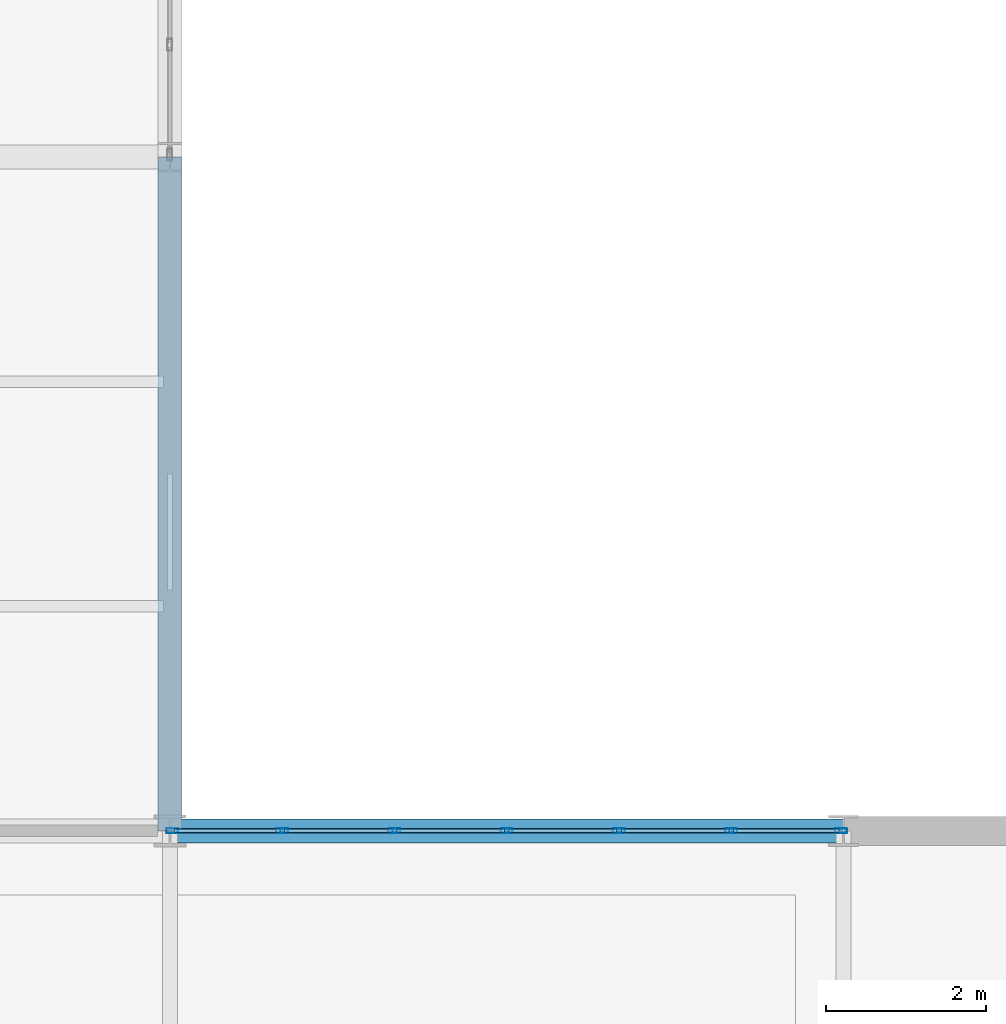
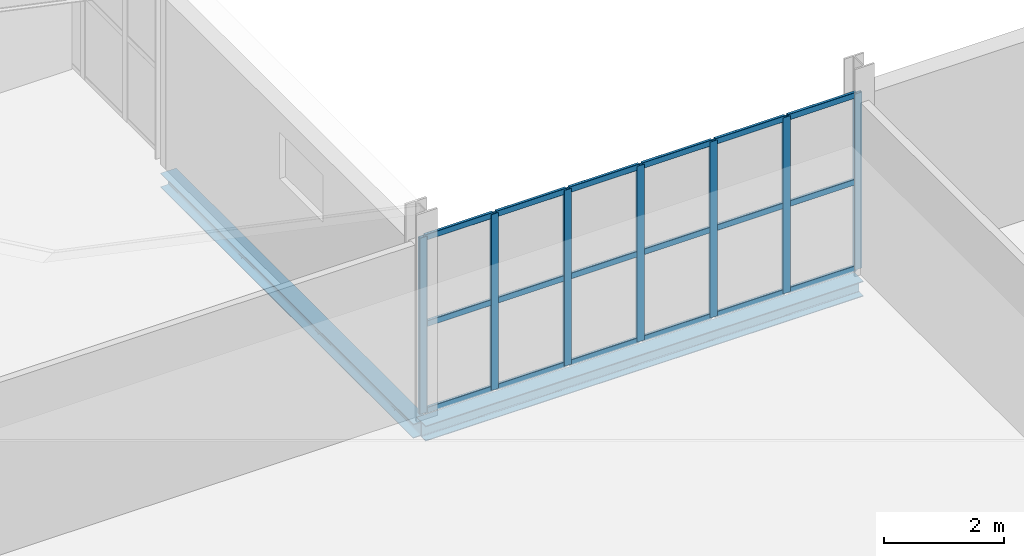
# One storey, part 53 of 184: 25 members, 2 beams, 1 element without a shape of its own.
"""IFC4 building model written with IfcOpenShell, lengths in metres."""

from ifc_helpers import new_model, si_unit, direction, frame, origin, origin_2d, place, context, subcontext, project, spatial, hollow_rectangle, i_section, extrude, material, layer, layer_set, material_profile, profile_set, type_object, element, aggregate, save


model = new_model("IFC4")

# Units and contexts
model_context = context("Model", 3, precision=1e-05, world=origin(), true_north=direction((0.0, 1.0)))
body_context = subcontext(model_context, "Body", "Model", "MODEL_VIEW")
ifc_project = project(units=[si_unit("LENGTHUNIT", "METRE"), si_unit("AREAUNIT", "SQUARE_METRE"), si_unit("VOLUMEUNIT", "CUBIC_METRE"), si_unit("PLANEANGLEUNIT", "RADIAN"), si_unit("MASSUNIT", "GRAM", prefix="KILO")], contexts=[model_context])

# Site, building, storey
site_placement = place(None, origin())
site = spatial("IfcSite", under=ifc_project, at=site_placement, CompositionType="ELEMENT")
building_placement = place(site_placement, origin())
building = spatial("IfcBuilding", under=site, at=building_placement, Name="Qalvenar Corner Mobility Hub", CompositionType="ELEMENT")
storey_placement = place(building_placement, frame((0.0, 0.0, 9.0)))
storey = spatial("IfcBuildingStorey", under=building, at=storey_placement, Name="L02", CompositionType="ELEMENT", Elevation=9.0)

# Beams
ifc_material_1 = material(Name="Steel S355", Category="steel")
ifc_material_profile_1 = material_profile(ifc_material_1, i_section(OverallWidth=0.300048828125, OverallDepth=0.2900390625, WebThickness=0.008544921875, FlangeThickness=0.013916015625, FilletRadius=0.027099609375, at=origin_2d()), Name="HEA300")
ifc_profile_set_1 = profile_set([ifc_material_profile_1], Name="Steel S355")
beam_type_1 = type_object("IfcBeamType", Name="BM-SPN300", PredefinedType="SPANDREL", material=ifc_profile_set_1)
beam_1_placement = place(storey_placement, frame((33.60009765625, 42.0, -0.324951171875), z_axis=(0.0, 1.0, 0.0), x_axis=(-1.0, 0.0, 0.0)))
element("IfcBeam", 1, at=beam_1_placement, inside=storey, type_object=beam_type_1, Name="Primary Steel Girder GY-1859", PredefinedType="SPANDREL", context=body_context, shape_type="SweptSolid", body=[
    extrude(i_section(OverallWidth=0.300048828125, OverallDepth=0.2900390625, WebThickness=0.008544921875, FlangeThickness=0.013916015625, FilletRadius=0.027099609375, at=origin_2d()), origin(), (0.0, 0.0, 1.0), 8.39990234375),
])
ifc_material_profile_2 = material_profile(ifc_material_1, i_section(OverallWidth=0.300048828125, OverallDepth=0.31005859375, WebThickness=0.009033203125, FlangeThickness=0.015380859375, FilletRadius=0.027099609375, at=origin_2d()), Name="HEA320")
ifc_profile_set_2 = profile_set([ifc_material_profile_2], Name="Steel S355")
beam_type_2 = type_object("IfcBeamType", Name="BM-SPN320", PredefinedType="SPANDREL", material=ifc_profile_set_2)
beam_2_placement = place(storey_placement, frame((33.60009765625, 42.0, -0.3349609375), z_axis=(1.0, 0.0, 0.0), x_axis=(0.0, 1.0, 0.0)))
element("IfcBeam", 2, at=beam_2_placement, inside=storey, type_object=beam_type_2, Name="Primary Steel Girder GX-1575", PredefinedType="SPANDREL", context=body_context, shape_type="SweptSolid", body=[
    extrude(i_section(OverallWidth=0.300048828125, OverallDepth=0.31005859375, WebThickness=0.009033203125, FlangeThickness=0.015380859375, FilletRadius=0.027099609375, at=origin_2d()), origin(), (0.0, 0.0, 1.0), 8.39990234375),
])

# Curtain wall, members
ifc_material_2 = material(Name="Anodised Aluminium and Low-E Glazing", Category="aluminium")
ifc_layer = layer(ifc_material_2, 0.14990234375)
ifc_layer_set = layer_set([ifc_layer], Name="Anodised Aluminium and Low-E Glazing")
curtain_wall_type = type_object("IfcCurtainWallType", Name="CW-CIV-84X40", PredefinedType="NOTDEFINED", material=ifc_layer_set)
curtain_wall_placement = place(storey_placement, origin())
curtain_wall = element("IfcCurtainWall", 3, at=curtain_wall_placement, inside=storey, type_object=curtain_wall_type, Name="Glazed Curtain Wall CW-V3-L02-N4", PredefinedType="NOTDEFINED")
ifc_material_3 = material(Name="Anodised Aluminium 6063-T6", Category="aluminium")
ifc_material_profile_3 = material_profile(ifc_material_3, hollow_rectangle(XDim=0.06005859375, YDim=0.14990234375, WallThickness=0.00390625, InnerFilletRadius=0.00390625, OuterFilletRadius=0.008056640625, at=origin_2d()), Name="RHS150x60x4")
ifc_profile_set_3 = profile_set([ifc_material_profile_3], Name="Anodised Aluminium 6063-T6")
member_type_1 = type_object("IfcMemberType", Name="CW-MUL150", PredefinedType="MULLION", material=ifc_profile_set_3)
member_1_placement = place(storey_placement, frame((41.969970703125, 42.0, 0.0), z_axis=(0.0, 0.0, 1.0), x_axis=(0.0, -1.0, 0.0)))
member_1 = element("IfcMember", 4, at=member_1_placement, type_object=member_type_1, Name="CW-05 mullion 1", PredefinedType="MULLION", context=body_context, shape_type="SweptSolid", body=[
    extrude(hollow_rectangle(XDim=0.06005859375, YDim=0.14990234375, WallThickness=0.00390625, InnerFilletRadius=0.00390625, OuterFilletRadius=0.008056640625, at=origin_2d()), origin(), (0.0, 0.0, 1.0), 3.570068359375),
])
member_2_placement = place(storey_placement, frame((40.60009765625, 42.0, 0.0), z_axis=(0.0, 0.0, 1.0), x_axis=(0.0, -1.0, 0.0)))
member_2 = element("IfcMember", 5, at=member_2_placement, type_object=member_type_1, Name="CW-05 mullion 2", PredefinedType="MULLION", context=body_context, shape_type="SweptSolid", body=[
    extrude(hollow_rectangle(XDim=0.06005859375, YDim=0.14990234375, WallThickness=0.00390625, InnerFilletRadius=0.00390625, OuterFilletRadius=0.008056640625, at=origin_2d()), origin(), (0.0, 0.0, 1.0), 3.570068359375),
])
member_3_placement = place(storey_placement, frame((39.199951171875, 42.0, 0.0), z_axis=(0.0, 0.0, 1.0), x_axis=(0.0, -1.0, 0.0)))
member_3 = element("IfcMember", 6, at=member_3_placement, type_object=member_type_1, Name="CW-05 mullion 3", PredefinedType="MULLION", context=body_context, shape_type="SweptSolid", body=[
    extrude(hollow_rectangle(XDim=0.06005859375, YDim=0.14990234375, WallThickness=0.00390625, InnerFilletRadius=0.00390625, OuterFilletRadius=0.008056640625, at=origin_2d()), origin(), (0.0, 0.0, 1.0), 3.570068359375),
])
member_4_placement = place(storey_placement, frame((37.800048828125, 42.0, 0.0), z_axis=(0.0, 0.0, 1.0), x_axis=(0.0, -1.0, 0.0)))
member_4 = element("IfcMember", 7, at=member_4_placement, type_object=member_type_1, Name="CW-05 mullion 4", PredefinedType="MULLION", context=body_context, shape_type="SweptSolid", body=[
    extrude(hollow_rectangle(XDim=0.06005859375, YDim=0.14990234375, WallThickness=0.00390625, InnerFilletRadius=0.00390625, OuterFilletRadius=0.008056640625, at=origin_2d()), origin(), (0.0, 0.0, 1.0), 3.570068359375),
])
member_5_placement = place(storey_placement, frame((36.39990234375, 42.0, 0.0), z_axis=(0.0, 0.0, 1.0), x_axis=(0.0, -1.0, 0.0)))
member_5 = element("IfcMember", 8, at=member_5_placement, type_object=member_type_1, Name="CW-05 mullion 5", PredefinedType="MULLION", context=body_context, shape_type="SweptSolid", body=[
    extrude(hollow_rectangle(XDim=0.06005859375, YDim=0.14990234375, WallThickness=0.00390625, InnerFilletRadius=0.00390625, OuterFilletRadius=0.008056640625, at=origin_2d()), origin(), (0.0, 0.0, 1.0), 3.570068359375),
])
member_6_placement = place(storey_placement, frame((35.0, 42.0, 0.0), z_axis=(0.0, 0.0, 1.0), x_axis=(0.0, -1.0, 0.0)))
member_6 = element("IfcMember", 9, at=member_6_placement, type_object=member_type_1, Name="CW-05 mullion 6", PredefinedType="MULLION", context=body_context, shape_type="SweptSolid", body=[
    extrude(hollow_rectangle(XDim=0.06005859375, YDim=0.14990234375, WallThickness=0.00390625, InnerFilletRadius=0.00390625, OuterFilletRadius=0.008056640625, at=origin_2d()), origin(), (0.0, 0.0, 1.0), 3.570068359375),
])
member_7_placement = place(storey_placement, frame((33.6298828125, 42.0, 0.0), z_axis=(0.0, 0.0, 1.0), x_axis=(0.0, -1.0, 0.0)))
member_7 = element("IfcMember", 10, at=member_7_placement, type_object=member_type_1, Name="CW-05 mullion 7", PredefinedType="MULLION", context=body_context, shape_type="SweptSolid", body=[
    extrude(hollow_rectangle(XDim=0.06005859375, YDim=0.14990234375, WallThickness=0.00390625, InnerFilletRadius=0.00390625, OuterFilletRadius=0.008056640625, at=origin_2d()), origin(), (0.0, 0.0, 1.0), 3.570068359375),
])
ifc_material_profile_4 = material_profile(ifc_material_3, hollow_rectangle(XDim=0.054931640625, YDim=0.1201171875, WallThickness=0.00341796875, InnerFilletRadius=0.00341796875, OuterFilletRadius=0.007080078125, at=origin_2d()), Name="RHS120x55x3.5")
ifc_profile_set_4 = profile_set([ifc_material_profile_4], Name="Anodised Aluminium 6063-T6")
member_type_2 = type_object("IfcMemberType", Name="CW-TRN120", PredefinedType="USERDEFINED", material=ifc_profile_set_4)
member_8_placement = place(storey_placement, frame((41.93994140625, 42.0, 0.027587890625), z_axis=(-1.0, 0.0, 0.0), x_axis=(0.0, -1.0, 0.0)))
member_8 = element("IfcMember", 11, at=member_8_placement, type_object=member_type_2, Name="CW-05 transom 1.1", ObjectType="TRANSOM", PredefinedType="USERDEFINED", context=body_context, shape_type="SweptSolid", body=[
    extrude(hollow_rectangle(XDim=0.054931640625, YDim=0.1201171875, WallThickness=0.00341796875, InnerFilletRadius=0.00341796875, OuterFilletRadius=0.007080078125, at=origin_2d()), origin(), (0.0, 0.0, 1.0), 1.31005859375),
])
member_9_placement = place(storey_placement, frame((41.93994140625, 42.0, 1.784912109375), z_axis=(-1.0, 0.0, 0.0), x_axis=(0.0, -1.0, 0.0)))
member_9 = element("IfcMember", 12, at=member_9_placement, type_object=member_type_2, Name="CW-05 transom 1.2", ObjectType="TRANSOM", PredefinedType="USERDEFINED", context=body_context, shape_type="SweptSolid", body=[
    extrude(hollow_rectangle(XDim=0.054931640625, YDim=0.1201171875, WallThickness=0.00341796875, InnerFilletRadius=0.00341796875, OuterFilletRadius=0.007080078125, at=origin_2d()), origin(), (0.0, 0.0, 1.0), 1.31005859375),
])
member_10_placement = place(storey_placement, frame((41.93994140625, 42.0, 3.54248046875), z_axis=(-1.0, 0.0, 0.0), x_axis=(0.0, -1.0, 0.0)))
member_10 = element("IfcMember", 13, at=member_10_placement, type_object=member_type_2, Name="CW-05 transom 1.3", ObjectType="TRANSOM", PredefinedType="USERDEFINED", context=body_context, shape_type="SweptSolid", body=[
    extrude(hollow_rectangle(XDim=0.054931640625, YDim=0.1201171875, WallThickness=0.00341796875, InnerFilletRadius=0.00341796875, OuterFilletRadius=0.007080078125, at=origin_2d()), origin(), (0.0, 0.0, 1.0), 1.31005859375),
])
member_11_placement = place(storey_placement, frame((40.570068359375, 42.0, 0.027587890625), z_axis=(-1.0, 0.0, 0.0), x_axis=(0.0, -1.0, 0.0)))
member_11 = element("IfcMember", 14, at=member_11_placement, type_object=member_type_2, Name="CW-05 transom 2.1", ObjectType="TRANSOM", PredefinedType="USERDEFINED", context=body_context, shape_type="SweptSolid", body=[
    extrude(hollow_rectangle(XDim=0.054931640625, YDim=0.1201171875, WallThickness=0.00341796875, InnerFilletRadius=0.00341796875, OuterFilletRadius=0.007080078125, at=origin_2d()), origin(), (0.0, 0.0, 1.0), 1.340087890625),
])
member_12_placement = place(storey_placement, frame((40.570068359375, 42.0, 1.784912109375), z_axis=(-1.0, 0.0, 0.0), x_axis=(0.0, -1.0, 0.0)))
member_12 = element("IfcMember", 15, at=member_12_placement, type_object=member_type_2, Name="CW-05 transom 2.2", ObjectType="TRANSOM", PredefinedType="USERDEFINED", context=body_context, shape_type="SweptSolid", body=[
    extrude(hollow_rectangle(XDim=0.054931640625, YDim=0.1201171875, WallThickness=0.00341796875, InnerFilletRadius=0.00341796875, OuterFilletRadius=0.007080078125, at=origin_2d()), origin(), (0.0, 0.0, 1.0), 1.340087890625),
])
member_13_placement = place(storey_placement, frame((40.570068359375, 42.0, 3.54248046875), z_axis=(-1.0, 0.0, 0.0), x_axis=(0.0, -1.0, 0.0)))
member_13 = element("IfcMember", 16, at=member_13_placement, type_object=member_type_2, Name="CW-05 transom 2.3", ObjectType="TRANSOM", PredefinedType="USERDEFINED", context=body_context, shape_type="SweptSolid", body=[
    extrude(hollow_rectangle(XDim=0.054931640625, YDim=0.1201171875, WallThickness=0.00341796875, InnerFilletRadius=0.00341796875, OuterFilletRadius=0.007080078125, at=origin_2d()), origin(), (0.0, 0.0, 1.0), 1.340087890625),
])
member_14_placement = place(storey_placement, frame((39.169921875, 42.0, 0.027587890625), z_axis=(-1.0, 0.0, 0.0), x_axis=(0.0, -1.0, 0.0)))
member_14 = element("IfcMember", 17, at=member_14_placement, type_object=member_type_2, Name="CW-05 transom 3.1", ObjectType="TRANSOM", PredefinedType="USERDEFINED", context=body_context, shape_type="SweptSolid", body=[
    extrude(hollow_rectangle(XDim=0.054931640625, YDim=0.1201171875, WallThickness=0.00341796875, InnerFilletRadius=0.00341796875, OuterFilletRadius=0.007080078125, at=origin_2d()), origin(), (0.0, 0.0, 1.0), 1.33984375),
])
member_15_placement = place(storey_placement, frame((39.169921875, 42.0, 1.784912109375), z_axis=(-1.0, 0.0, 0.0), x_axis=(0.0, -1.0, 0.0)))
member_15 = element("IfcMember", 18, at=member_15_placement, type_object=member_type_2, Name="CW-05 transom 3.2", ObjectType="TRANSOM", PredefinedType="USERDEFINED", context=body_context, shape_type="SweptSolid", body=[
    extrude(hollow_rectangle(XDim=0.054931640625, YDim=0.1201171875, WallThickness=0.00341796875, InnerFilletRadius=0.00341796875, OuterFilletRadius=0.007080078125, at=origin_2d()), origin(), (0.0, 0.0, 1.0), 1.33984375),
])
member_16_placement = place(storey_placement, frame((39.169921875, 42.0, 3.54248046875), z_axis=(-1.0, 0.0, 0.0), x_axis=(0.0, -1.0, 0.0)))
member_16 = element("IfcMember", 19, at=member_16_placement, type_object=member_type_2, Name="CW-05 transom 3.3", ObjectType="TRANSOM", PredefinedType="USERDEFINED", context=body_context, shape_type="SweptSolid", body=[
    extrude(hollow_rectangle(XDim=0.054931640625, YDim=0.1201171875, WallThickness=0.00341796875, InnerFilletRadius=0.00341796875, OuterFilletRadius=0.007080078125, at=origin_2d()), origin(), (0.0, 0.0, 1.0), 1.33984375),
])
member_17_placement = place(storey_placement, frame((37.77001953125, 42.0, 0.027587890625), z_axis=(-1.0, 0.0, 0.0), x_axis=(0.0, -1.0, 0.0)))
member_17 = element("IfcMember", 20, at=member_17_placement, type_object=member_type_2, Name="CW-05 transom 4.1", ObjectType="TRANSOM", PredefinedType="USERDEFINED", context=body_context, shape_type="SweptSolid", body=[
    extrude(hollow_rectangle(XDim=0.054931640625, YDim=0.1201171875, WallThickness=0.00341796875, InnerFilletRadius=0.00341796875, OuterFilletRadius=0.007080078125, at=origin_2d()), origin(), (0.0, 0.0, 1.0), 1.340087890625),
])
member_18_placement = place(storey_placement, frame((37.77001953125, 42.0, 1.784912109375), z_axis=(-1.0, 0.0, 0.0), x_axis=(0.0, -1.0, 0.0)))
member_18 = element("IfcMember", 21, at=member_18_placement, type_object=member_type_2, Name="CW-05 transom 4.2", ObjectType="TRANSOM", PredefinedType="USERDEFINED", context=body_context, shape_type="SweptSolid", body=[
    extrude(hollow_rectangle(XDim=0.054931640625, YDim=0.1201171875, WallThickness=0.00341796875, InnerFilletRadius=0.00341796875, OuterFilletRadius=0.007080078125, at=origin_2d()), origin(), (0.0, 0.0, 1.0), 1.340087890625),
])
member_19_placement = place(storey_placement, frame((37.77001953125, 42.0, 3.54248046875), z_axis=(-1.0, 0.0, 0.0), x_axis=(0.0, -1.0, 0.0)))
member_19 = element("IfcMember", 22, at=member_19_placement, type_object=member_type_2, Name="CW-05 transom 4.3", ObjectType="TRANSOM", PredefinedType="USERDEFINED", context=body_context, shape_type="SweptSolid", body=[
    extrude(hollow_rectangle(XDim=0.054931640625, YDim=0.1201171875, WallThickness=0.00341796875, InnerFilletRadius=0.00341796875, OuterFilletRadius=0.007080078125, at=origin_2d()), origin(), (0.0, 0.0, 1.0), 1.340087890625),
])
member_20_placement = place(storey_placement, frame((36.3701171875, 42.0, 0.027587890625), z_axis=(-1.0, 0.0, 0.0), x_axis=(0.0, -1.0, 0.0)))
member_20 = element("IfcMember", 23, at=member_20_placement, type_object=member_type_2, Name="CW-05 transom 5.1", ObjectType="TRANSOM", PredefinedType="USERDEFINED", context=body_context, shape_type="SweptSolid", body=[
    extrude(hollow_rectangle(XDim=0.054931640625, YDim=0.1201171875, WallThickness=0.00341796875, InnerFilletRadius=0.00341796875, OuterFilletRadius=0.007080078125, at=origin_2d()), origin(), (0.0, 0.0, 1.0), 1.340087890625),
])
member_21_placement = place(storey_placement, frame((36.3701171875, 42.0, 1.784912109375), z_axis=(-1.0, 0.0, 0.0), x_axis=(0.0, -1.0, 0.0)))
member_21 = element("IfcMember", 24, at=member_21_placement, type_object=member_type_2, Name="CW-05 transom 5.2", ObjectType="TRANSOM", PredefinedType="USERDEFINED", context=body_context, shape_type="SweptSolid", body=[
    extrude(hollow_rectangle(XDim=0.054931640625, YDim=0.1201171875, WallThickness=0.00341796875, InnerFilletRadius=0.00341796875, OuterFilletRadius=0.007080078125, at=origin_2d()), origin(), (0.0, 0.0, 1.0), 1.340087890625),
])
member_22_placement = place(storey_placement, frame((36.3701171875, 42.0, 3.54248046875), z_axis=(-1.0, 0.0, 0.0), x_axis=(0.0, -1.0, 0.0)))
member_22 = element("IfcMember", 25, at=member_22_placement, type_object=member_type_2, Name="CW-05 transom 5.3", ObjectType="TRANSOM", PredefinedType="USERDEFINED", context=body_context, shape_type="SweptSolid", body=[
    extrude(hollow_rectangle(XDim=0.054931640625, YDim=0.1201171875, WallThickness=0.00341796875, InnerFilletRadius=0.00341796875, OuterFilletRadius=0.007080078125, at=origin_2d()), origin(), (0.0, 0.0, 1.0), 1.340087890625),
])
member_23_placement = place(storey_placement, frame((34.969970703125, 42.0, 0.027587890625), z_axis=(-1.0, 0.0, 0.0), x_axis=(0.0, -1.0, 0.0)))
member_23 = element("IfcMember", 26, at=member_23_placement, type_object=member_type_2, Name="CW-05 transom 6.1", ObjectType="TRANSOM", PredefinedType="USERDEFINED", context=body_context, shape_type="SweptSolid", body=[
    extrude(hollow_rectangle(XDim=0.054931640625, YDim=0.1201171875, WallThickness=0.00341796875, InnerFilletRadius=0.00341796875, OuterFilletRadius=0.007080078125, at=origin_2d()), origin(), (0.0, 0.0, 1.0), 1.31005859375),
])
member_24_placement = place(storey_placement, frame((34.969970703125, 42.0, 1.784912109375), z_axis=(-1.0, 0.0, 0.0), x_axis=(0.0, -1.0, 0.0)))
member_24 = element("IfcMember", 27, at=member_24_placement, type_object=member_type_2, Name="CW-05 transom 6.2", ObjectType="TRANSOM", PredefinedType="USERDEFINED", context=body_context, shape_type="SweptSolid", body=[
    extrude(hollow_rectangle(XDim=0.054931640625, YDim=0.1201171875, WallThickness=0.00341796875, InnerFilletRadius=0.00341796875, OuterFilletRadius=0.007080078125, at=origin_2d()), origin(), (0.0, 0.0, 1.0), 1.31005859375),
])
member_25_placement = place(storey_placement, frame((34.969970703125, 42.0, 3.54248046875), z_axis=(-1.0, 0.0, 0.0), x_axis=(0.0, -1.0, 0.0)))
member_25 = element("IfcMember", 28, at=member_25_placement, type_object=member_type_2, Name="CW-05 transom 6.3", ObjectType="TRANSOM", PredefinedType="USERDEFINED", context=body_context, shape_type="SweptSolid", body=[
    extrude(hollow_rectangle(XDim=0.054931640625, YDim=0.1201171875, WallThickness=0.00341796875, InnerFilletRadius=0.00341796875, OuterFilletRadius=0.007080078125, at=origin_2d()), origin(), (0.0, 0.0, 1.0), 1.31005859375),
])
aggregate(curtain_wall, [member_1, member_2, member_3, member_4, member_5, member_6, member_7, member_8, member_9, member_10, member_11, member_12, member_13, member_14, member_15, member_16, member_17, member_18, member_19, member_20, member_21, member_22, member_23, member_24, member_25])

save(model, "model.ifc")
